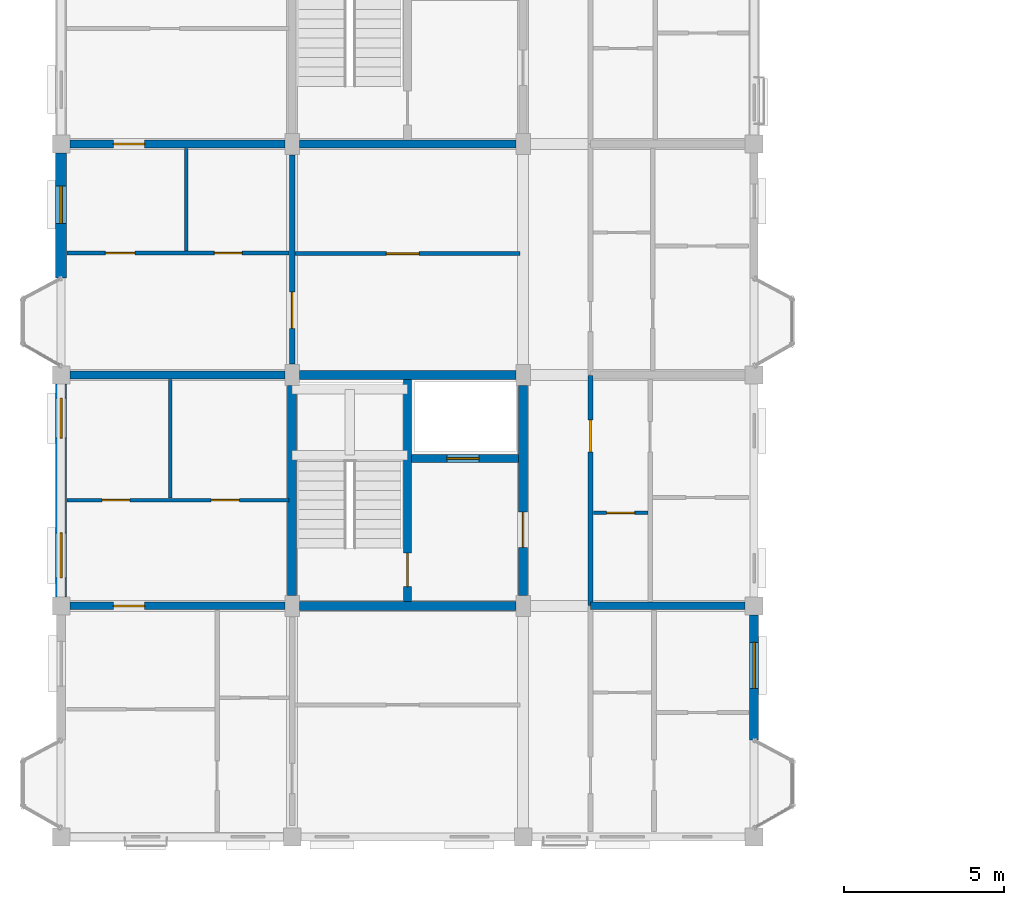
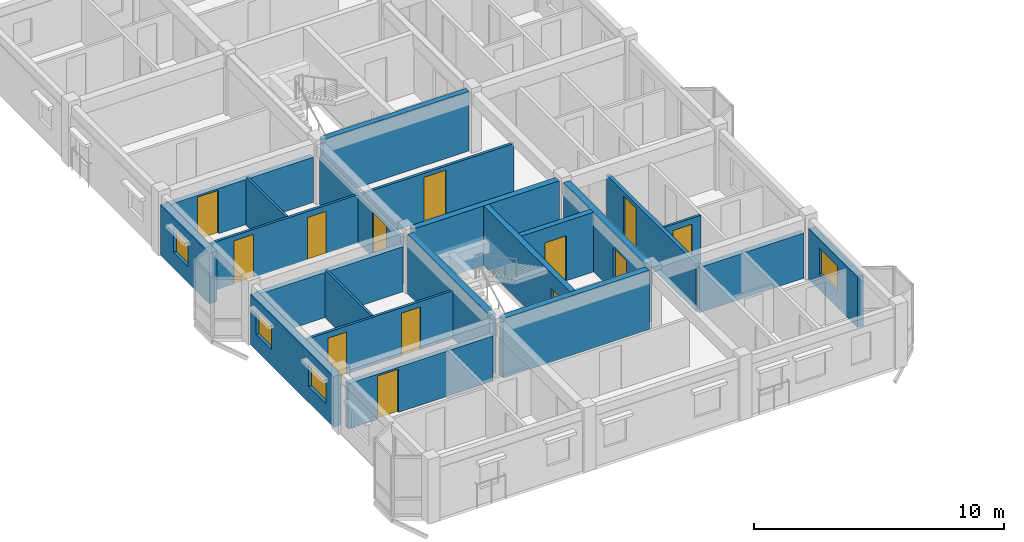
# One storey, part 56 of 79: 22 walls, 13 doors, 4 windows, 17 openings.
"""IFC4 building model written with IfcOpenShell, lengths in metres."""

from ifc_helpers import new_model, si_unit, direction, frame, frame_2d, origin, place, context, subcontext, project, spatial, rectangle, extrude, material, layer, layer_set, type_object, element, fill, save


model = new_model("IFC4")

# Units and contexts
model_context = context("Model", 3, precision=1e-05, world=origin(), true_north=direction((0.0, 1.0)))
body_context = subcontext(model_context, "Body", "Model", "MODEL_VIEW")
ifc_project = project(units=[si_unit("LENGTHUNIT", "METRE"), si_unit("AREAUNIT", "SQUARE_METRE"), si_unit("VOLUMEUNIT", "CUBIC_METRE"), si_unit("PLANEANGLEUNIT", "RADIAN"), si_unit("MASSUNIT", "GRAM", prefix="KILO"), si_unit("THERMODYNAMICTEMPERATUREUNIT", "KELVIN"), si_unit("POWERUNIT", "WATT")], contexts=[model_context])

# Site, building, storey
site_placement = place(None, origin())
site = spatial("IfcSite", under=ifc_project, at=site_placement, CompositionType="ELEMENT")
building_placement = place(site_placement, origin())
building = spatial("IfcBuilding", under=site, at=building_placement, Name="Tavuni Mirador Residences", CompositionType="ELEMENT")
storey_placement = place(building_placement, frame((0.0, 0.0, 13.949951171875)))
storey = spatial("IfcBuildingStorey", under=building, at=storey_placement, Name="L04", CompositionType="ELEMENT", Elevation=13.949951171875)

# Wall, opening, door
ifc_material_1 = material(Name="Precast concrete C40/50", Category="concrete")
ifc_layer_1 = layer(ifc_material_1, 0.25, Name="Precast concrete C40/50", Category="concrete")
ifc_layer_set_1 = layer_set([ifc_layer_1], Name="Precast concrete C40/50")
wall_type_1 = type_object("IfcWallType", Name="WT-COR250", PredefinedType="SHEAR", material=ifc_layer_set_1)
wall_1_placement = place(storey_placement, frame((14.39990234375, 72.139892578125, 0.0), z_axis=(0.0, 0.0, 1.0), x_axis=(0.0, 1.0, 0.0)))
wall_1 = element("IfcWall", 1, at=wall_1_placement, inside=storey, type_object=wall_type_1, Name="CWALL-C3-L04-MID", PredefinedType="SHEAR", context=body_context, shape_type="SweptSolid", body=[
    extrude(rectangle(XDim=6.920166015625, YDim=0.25, at=frame_2d((3.4599609375, 0.0))), origin(), (0.0, 0.0, 1.0), 2.91015625),
])
opening_1_placement = place(wall_1_placement, frame((0.4599609375, 0.0, 0.0)))
opening_1 = element("IfcOpeningElement", 2, at=opening_1_placement, cuts=wall_1, Name="Opening D-01", PredefinedType="OPENING", context=body_context, shape_type="SweptSolid", body=[
    extrude(rectangle(XDim=1.050048828125, YDim=2.14990234375, at=frame_2d((0.52490234375, 1.074951171875))), frame((0.0, 0.135009765625, 0.0), z_axis=(0.0, -1.0, 0.0), x_axis=(1.0, 0.0, 0.0)), (0.0, 0.0, 1.0), 0.27001953125),
])
ifc_material_2 = material(Name="Solid core iroko timber", Category="wood")
door_type_1 = type_object("IfcDoorType", Name="DT-ST1050", OperationType="NOTDEFINED", PredefinedType="DOOR", material=ifc_material_2)
door_1_placement = place(opening_1_placement, origin())
door_1 = element("IfcDoor", 3, at=door_1_placement, inside=storey, type_object=door_type_1, Name="DR-2125", OperationType="SINGLE_SWING_LEFT", OverallHeight=2.14990234375, OverallWidth=1.050048828125, PredefinedType="DOOR", context=body_context, shape_type="SweptSolid", body=[
    extrude(rectangle(XDim=1.050048828125, YDim=2.14990234375, at=frame_2d((0.52490234375, 1.074951171875))), frame((0.0, 0.02490234375, 0.0), z_axis=(0.0, -1.0, 0.0), x_axis=(1.0, 0.0, 0.0)), (0.0, 0.0, 1.0), 0.050048828125),
])
fill(opening_1, door_1)

wall_2_placement = place(storey_placement, frame((14.52490234375, 76.60009765625, 0.0), z_axis=(0.0, 0.0, 1.0), x_axis=(1.0, 0.0, 0.0)))
wall_2 = element("IfcWall", 4, at=wall_2_placement, inside=storey, type_object=wall_type_1, Name="CWALL-C3-L04-SHF", PredefinedType="SHEAR", context=body_context, shape_type="SweptSolid", body=[
    extrude(rectangle(XDim=3.335205078125, YDim=0.25, at=frame_2d((1.66748046875, 0.0))), origin(), (0.0, 0.0, 1.0), 2.91015625),
])
opening_2_placement = place(wall_2_placement, frame((1.10009765625, 0.0, 0.0)))
opening_2 = element("IfcOpeningElement", 5, at=opening_2_placement, cuts=wall_2, Name="Opening LD-02", PredefinedType="OPENING", context=body_context, shape_type="SweptSolid", body=[
    extrude(rectangle(XDim=1.0, YDim=2.199951171875, at=frame_2d((0.5, 1.10009765625))), frame((0.0, 0.135009765625, 0.0), z_axis=(0.0, -1.0, 0.0), x_axis=(1.0, 0.0, 0.0)), (0.0, 0.0, 1.0), 0.27001953125),
])
ifc_material_3 = material(Name="Structural steel S355", Category="steel")
door_type_2 = type_object("IfcDoorType", Name="DT-LD-PAX", OperationType="SLIDING_TO_LEFT", PredefinedType="DOOR", material=ifc_material_3)
door_2_placement = place(opening_2_placement, origin())
door_2 = element("IfcDoor", 6, at=door_2_placement, inside=storey, type_object=door_type_2, Name="Lift landing door PL-B1 L04", OperationType="SLIDING_TO_LEFT", OverallHeight=2.199951171875, OverallWidth=1.0, PredefinedType="DOOR", context=body_context, shape_type="SweptSolid", body=[
    extrude(rectangle(XDim=1.0, YDim=2.199951171875, at=frame_2d((0.5, 1.10009765625))), frame((0.0, 0.02490234375, 0.0), z_axis=(0.0, -1.0, 0.0), x_axis=(1.0, 0.0, 0.0)), (0.0, 0.0, 1.0), 0.050048828125),
])
fill(opening_2, door_2)

# Walls
wall_3_placement = place(storey_placement, frame((11.02490234375, 86.39990234375, 0.0), z_axis=(0.0, 0.0, 1.0), x_axis=(1.0, 0.0, 0.0)))
element("IfcWall", 7, at=wall_3_placement, inside=storey, type_object=wall_type_1, Name="CWALL-C4-L04-SS", PredefinedType="SHEAR", context=body_context, shape_type="SweptSolid", body=[
    extrude(rectangle(XDim=6.75, YDim=0.25, at=frame_2d((3.375, 0.0))), origin(), (0.0, 0.0, 1.0), 2.91015625),
])
ifc_layer_2 = layer(ifc_material_1, 0.280029296875, Name="Precast concrete C40/50", Category="concrete")
ifc_layer_set_2 = layer_set([ifc_layer_2], Name="Precast concrete C40/50")
wall_type_2 = type_object("IfcWallType", Name="WT-COR280", PredefinedType="SHEAR", material=ifc_layer_set_2)
wall_4_placement = place(storey_placement, frame((10.800048828125, 72.324951171875, 0.0), z_axis=(0.0, 0.0, 1.0), x_axis=(0.0, 1.0, 0.0)))
element("IfcWall", 8, at=wall_4_placement, inside=storey, type_object=wall_type_2, Name="CWALL-C3-L04-W", PredefinedType="SHEAR", context=body_context, shape_type="SweptSolid", body=[
    extrude(rectangle(XDim=6.550048828125, YDim=0.280029296875, at=frame_2d((3.27490234375, 0.0))), origin(), (0.0, 0.0, 1.0), 2.91015625),
])
wall_5_placement = place(storey_placement, frame((11.02490234375, 79.199951171875, 0.0), z_axis=(0.0, 0.0, 1.0), x_axis=(1.0, 0.0, 0.0)))
element("IfcWall", 9, at=wall_5_placement, inside=storey, type_object=wall_type_2, Name="CWALL-C3-L04-N", PredefinedType="SHEAR", context=body_context, shape_type="SweptSolid", body=[
    extrude(rectangle(XDim=6.75, YDim=0.280029296875, at=frame_2d((3.375, 0.0))), origin(), (0.0, 0.0, 1.0), 2.91015625),
])

# Wall, opening, door
wall_6_placement = place(storey_placement, frame((18.0, 72.324951171875, 0.0), z_axis=(0.0, 0.0, 1.0), x_axis=(0.0, 1.0, 0.0)))
wall_6 = element("IfcWall", 10, at=wall_6_placement, inside=storey, type_object=wall_type_2, Name="CWALL-C3-L04-E", PredefinedType="SHEAR", context=body_context, shape_type="SweptSolid", body=[
    extrude(rectangle(XDim=6.550048828125, YDim=0.280029296875, at=frame_2d((3.27490234375, 0.0))), origin(), (0.0, 0.0, 1.0), 2.91015625),
])
opening_3_placement = place(wall_6_placement, frame((1.5, 0.0, 0.0)))
opening_3 = element("IfcOpeningElement", 11, at=opening_3_placement, cuts=wall_6, Name="Opening D-02", PredefinedType="OPENING", context=body_context, shape_type="SweptSolid", body=[
    extrude(rectangle(XDim=1.10009765625, YDim=2.14990234375, at=frame_2d((0.550048828125, 1.074951171875))), frame((0.0, 0.14990234375, 0.0), z_axis=(0.0, -1.0, 0.0), x_axis=(1.0, 0.0, 0.0)), (0.0, 0.0, 1.0), 0.300048828125),
])
door_type_3 = type_object("IfcDoorType", Name="DT-LOB1100", OperationType="NOTDEFINED", PredefinedType="DOOR", material=ifc_material_2)
door_3_placement = place(opening_3_placement, frame((1.10009765625, 0.0, 0.0), z_axis=(0.0, 0.0, 1.0), x_axis=(-1.0, 0.0, 0.0)))
door_3 = element("IfcDoor", 12, at=door_3_placement, inside=storey, type_object=door_type_3, Name="DR-2124", OperationType="SINGLE_SWING_LEFT", OverallHeight=2.14990234375, OverallWidth=1.10009765625, PredefinedType="DOOR", context=body_context, shape_type="SweptSolid", body=[
    extrude(rectangle(XDim=1.10009765625, YDim=2.14990234375, at=frame_2d((0.550048828125, 1.074951171875))), frame((0.0, 0.02490234375, 0.0), z_axis=(0.0, -1.0, 0.0), x_axis=(1.0, 0.0, 0.0)), (0.0, 0.0, 1.0), 0.050048828125),
])
fill(opening_3, door_3)

# Wall
wall_7_placement = place(storey_placement, frame((11.02490234375, 72.0, 0.0), z_axis=(0.0, 0.0, 1.0), x_axis=(1.0, 0.0, 0.0)))
element("IfcWall", 13, at=wall_7_placement, inside=storey, type_object=wall_type_2, Name="CWALL-C3-L04-SS", PredefinedType="SHEAR", context=body_context, shape_type="SweptSolid", body=[
    extrude(rectangle(XDim=6.75, YDim=0.280029296875, at=frame_2d((3.375, 0.0))), origin(), (0.0, 0.0, 1.0), 2.91015625),
])

# Wall, opening, door
ifc_layer_3 = layer(ifc_material_1, 0.1650390625, Name="Precast concrete C40/50", Category="concrete")
ifc_layer_set_3 = layer_set([ifc_layer_3], Name="Precast concrete C40/50")
wall_type_3 = type_object("IfcWallType", Name="WT-CORR165", PredefinedType="PARTITIONING", material=ifc_layer_set_3)
wall_8_placement = place(storey_placement, frame((20.10009765625, 72.02001953125, 0.0), z_axis=(0.0, 0.0, 1.0), x_axis=(0.0, 1.0, 0.0)))
wall_8 = element("IfcWall", 14, at=wall_8_placement, inside=storey, type_object=wall_type_3, Name="CORW-BLK-B-L04-0-01", PredefinedType="PARTITIONING", context=body_context, shape_type="SweptSolid", body=[
    extrude(rectangle(XDim=7.159912109375, YDim=0.1650390625, at=frame_2d((3.580078125, 0.0))), origin(), (0.0, 0.0, 1.0), 2.344970703125),
])
opening_4_placement = place(wall_8_placement, frame((4.780029296875, 0.0, 0.0)))
opening_4 = element("IfcOpeningElement", 15, at=opening_4_placement, cuts=wall_8, Name="Opening D-03", PredefinedType="OPENING", context=body_context, shape_type="SweptSolid", body=[
    extrude(rectangle(XDim=1.0, YDim=2.14990234375, at=frame_2d((0.5, 1.074951171875))), frame((0.0, 0.092529296875, 0.0), z_axis=(0.0, -1.0, 0.0), x_axis=(1.0, 0.0, 0.0)), (0.0, 0.0, 1.0), 0.18505859375),
])
door_type_4 = type_object("IfcDoorType", Name="DT-FD60-1000", OperationType="NOTDEFINED", PredefinedType="DOOR", material=ifc_material_2)
door_4_placement = place(opening_4_placement, origin())
door_4 = element("IfcDoor", 16, at=door_4_placement, inside=storey, type_object=door_type_4, Name="DR-2562", OperationType="SINGLE_SWING_LEFT", OverallHeight=2.14990234375, OverallWidth=1.0, PredefinedType="DOOR", context=body_context, shape_type="SweptSolid", body=[
    extrude(rectangle(XDim=1.0, YDim=2.14990234375, at=frame_2d((0.5, 1.074951171875))), frame((0.0, 0.02490234375, 0.0), z_axis=(0.0, -1.0, 0.0), x_axis=(1.0, 0.0, 0.0)), (0.0, 0.0, 1.0), 0.050048828125),
])
fill(opening_4, door_4)

wall_9_placement = place(storey_placement, frame((10.800048828125, 79.550048828125, 0.0), z_axis=(0.0, 0.0, 1.0), x_axis=(0.0, 1.0, 0.0)))
wall_9 = element("IfcWall", 17, at=wall_9_placement, inside=storey, type_object=wall_type_3, Name="CORW-BLK-B-L04-1-02", PredefinedType="PARTITIONING", context=body_context, shape_type="SweptSolid", body=[
    extrude(rectangle(XDim=6.5, YDim=0.1650390625, at=frame_2d((3.25, 0.0))), origin(), (0.0, 0.0, 1.0), 2.344970703125),
])
opening_5_placement = place(wall_9_placement, frame((1.10009765625, 0.0, 0.0)))
opening_5 = element("IfcOpeningElement", 18, at=opening_5_placement, cuts=wall_9, Name="Opening D-20", PredefinedType="OPENING", context=body_context, shape_type="SweptSolid", body=[
    extrude(rectangle(XDim=1.139892578125, YDim=2.179931640625, at=frame_2d((0.56982421875, 1.08984375))), frame((0.0, 0.092529296875, 0.0), z_axis=(0.0, -1.0, 0.0), x_axis=(1.0, 0.0, 0.0)), (0.0, 0.0, 1.0), 0.18505859375),
])
door_type_5 = type_object("IfcDoorType", Name="DT-FD60-1140", OperationType="NOTDEFINED", PredefinedType="DOOR", material=ifc_material_2)
door_5_placement = place(opening_5_placement, origin())
door_5 = element("IfcDoor", 19, at=door_5_placement, inside=storey, type_object=door_type_5, Name="DR-2567", OperationType="SINGLE_SWING_RIGHT", OverallHeight=2.179931640625, OverallWidth=1.139892578125, PredefinedType="DOOR", context=body_context, shape_type="SweptSolid", body=[
    extrude(rectangle(XDim=1.139892578125, YDim=2.179931640625, at=frame_2d((0.56982421875, 1.08984375))), frame((0.0, 0.02490234375, 0.0), z_axis=(0.0, -1.0, 0.0), x_axis=(1.0, 0.0, 0.0)), (0.0, 0.0, 1.0), 0.050048828125),
])
fill(opening_5, door_5)

# Wall, opening, window
ifc_material_4 = material(Name="Sgraffito lime-rendered precast concrete C40/50", Category="concrete")
ifc_layer_4 = layer(ifc_material_4, 0.27490234375, Name="Sgraffito lime-rendered precast concrete C40/50", Category="concrete")
ifc_layer_set_4 = layer_set([ifc_layer_4], Name="Sgraffito lime-rendered precast concrete C40/50")
wall_type_4 = type_object("IfcWallType", Name="WT-EXT-PC275", PredefinedType="SOLIDWALL", material=ifc_layer_set_4)
wall_10_placement = place(storey_placement, frame((25.199951171875, 67.820068359375, 0.0), z_axis=(0.0, 0.0, 1.0), x_axis=(0.0, 1.0, 0.0)))
wall_10 = element("IfcWall", 20, at=wall_10_placement, inside=storey, type_object=wall_type_4, Name="EW-BLK-B-L04-E00", PredefinedType="SOLIDWALL", context=body_context, shape_type="SweptSolid", body=[
    extrude(rectangle(XDim=3.905029296875, YDim=0.27490234375, at=frame_2d((1.95263671875, 0.0))), origin(), (0.0, 0.0, 1.0), 2.47998046875),
])
opening_6_placement = place(wall_10_placement, frame((1.607421875, 0.0, 0.780029296875)))
opening_6 = element("IfcOpeningElement", 21, at=opening_6_placement, cuts=wall_10, Name="Opening WN-16", PredefinedType="OPENING", context=body_context, shape_type="SweptSolid", body=[
    extrude(rectangle(XDim=1.43994140625, YDim=1.260009765625, at=frame_2d((0.719970703125, 0.6298828125))), frame((0.0, 0.1474609375, 0.0), z_axis=(0.0, -1.0, 0.0), x_axis=(1.0, 0.0, 0.0)), (0.0, 0.0, 1.0), 0.294921875),
])
ifc_material_5 = material(Name="Laminated solar-control glass", Category="glass")
window_type_1 = type_object("IfcWindowType", Name="WNT-16", PartitioningType="SINGLE_PANEL", PredefinedType="WINDOW", material=ifc_material_5)
window_1_placement = place(opening_6_placement, origin())
window_1 = element("IfcWindow", 22, at=window_1_placement, inside=storey, type_object=window_type_1, Name="WIN-0671", OverallHeight=1.260009765625, OverallWidth=1.43994140625, PartitioningType="SINGLE_PANEL", PredefinedType="WINDOW", context=body_context, shape_type="SweptSolid", body=[
    extrude(rectangle(XDim=1.43994140625, YDim=1.260009765625, at=frame_2d((0.719970703125, 0.6298828125))), frame((0.0, 0.030029296875, 0.0), z_axis=(0.0, -1.0, 0.0), x_axis=(1.0, 0.0, 0.0)), (0.0, 0.0, 1.0), 0.06005859375),
])
fill(opening_6, window_1)

ifc_layer_5 = layer(ifc_material_4, 0.344970703125, Name="Sgraffito lime-rendered precast concrete C40/50", Category="concrete")
ifc_layer_set_5 = layer_set([ifc_layer_5], Name="Sgraffito lime-rendered precast concrete C40/50")
wall_type_5 = type_object("IfcWallType", Name="WT-EXT-PTY345", PredefinedType="SOLIDWALL", material=ifc_layer_set_5)
wall_11_placement = place(storey_placement, frame((3.60009765625, 86.125, 0.0), z_axis=(0.0, 0.0, 1.0), x_axis=(0.0, -1.0, 0.0)))
wall_11 = element("IfcWall", 23, at=wall_11_placement, inside=storey, type_object=wall_type_5, Name="EW-BLK-B-L04-W02", PredefinedType="SOLIDWALL", context=body_context, shape_type="SweptSolid", body=[
    extrude(rectangle(XDim=3.905029296875, YDim=0.344970703125, at=frame_2d((1.95263671875, 0.0))), origin(), (0.0, 0.0, 1.0), 2.47998046875),
])
opening_7_placement = place(wall_11_placement, frame((1.03759765625, 0.0, 0.780029296875)))
opening_7 = element("IfcOpeningElement", 24, at=opening_7_placement, cuts=wall_11, Name="Opening WN-05", PredefinedType="OPENING", context=body_context, shape_type="SweptSolid", body=[
    extrude(rectangle(XDim=1.159912109375, YDim=1.14990234375, at=frame_2d((0.580078125, 0.574951171875))), frame((0.0, 0.1826171875, 0.0), z_axis=(0.0, -1.0, 0.0), x_axis=(1.0, 0.0, 0.0)), (0.0, 0.0, 1.0), 0.364990234375),
])
window_type_2 = type_object("IfcWindowType", Name="WNT-05", PartitioningType="SINGLE_PANEL", PredefinedType="WINDOW", material=ifc_material_5)
window_2_placement = place(opening_7_placement, origin())
window_2 = element("IfcWindow", 25, at=window_2_placement, inside=storey, type_object=window_type_2, Name="WIN-0690", OverallHeight=1.14990234375, OverallWidth=1.159912109375, PartitioningType="SINGLE_PANEL", PredefinedType="WINDOW", context=body_context, shape_type="SweptSolid", body=[
    extrude(rectangle(XDim=1.159912109375, YDim=1.14990234375, at=frame_2d((0.580078125, 0.574951171875))), frame((0.0, 0.030029296875, 0.0), z_axis=(0.0, -1.0, 0.0), x_axis=(1.0, 0.0, 0.0)), (0.0, 0.0, 1.0), 0.06005859375),
])
fill(opening_7, window_2)

# Wall, openings, windows
wall_12_placement = place(storey_placement, frame((3.60009765625, 78.925048828125, 0.0), z_axis=(0.0, 0.0, 1.0), x_axis=(0.0, -1.0, 0.0)))
wall_12 = element("IfcWall", 26, at=wall_12_placement, inside=storey, type_object=wall_type_5, Name="EW-BLK-B-L04-W01", PredefinedType="SOLIDWALL", context=body_context, shape_type="SweptSolid", body=[
    extrude(rectangle(XDim=6.650146484375, YDim=0.344970703125, at=frame_2d((3.3251953125, 0.0))), origin(), (0.0, 0.0, 1.0), 2.47998046875),
])
opening_8_placement = place(wall_12_placement, frame((0.449951171875, 0.0, 0.780029296875)))
opening_8 = element("IfcOpeningElement", 27, at=opening_8_placement, cuts=wall_12, Name="Opening WN-06", PredefinedType="OPENING", context=body_context, shape_type="SweptSolid", body=[
    extrude(rectangle(XDim=1.239990234375, YDim=1.14990234375, at=frame_2d((0.6201171875, 0.574951171875))), frame((0.0, 0.1826171875, 0.0), z_axis=(0.0, -1.0, 0.0), x_axis=(1.0, 0.0, 0.0)), (0.0, 0.0, 1.0), 0.364990234375),
])
opening_9_placement = place(wall_12_placement, frame((4.64990234375, 0.0, 0.780029296875)))
opening_9 = element("IfcOpeningElement", 28, at=opening_9_placement, cuts=wall_12, Name="Opening WN-08", PredefinedType="OPENING", context=body_context, shape_type="SweptSolid", body=[
    extrude(rectangle(XDim=1.39990234375, YDim=1.14990234375, at=frame_2d((0.699951171875, 0.574951171875))), frame((0.0, 0.1826171875, 0.0), z_axis=(0.0, -1.0, 0.0), x_axis=(1.0, 0.0, 0.0)), (0.0, 0.0, 1.0), 0.364990234375),
])
window_type_3 = type_object("IfcWindowType", Name="WNT-06", PartitioningType="SINGLE_PANEL", PredefinedType="WINDOW", material=ifc_material_5)
window_3_placement = place(opening_8_placement, origin())
window_3 = element("IfcWindow", 29, at=window_3_placement, inside=storey, type_object=window_type_3, Name="WIN-0691", OverallHeight=1.14990234375, OverallWidth=1.239990234375, PartitioningType="SINGLE_PANEL", PredefinedType="WINDOW", context=body_context, shape_type="SweptSolid", body=[
    extrude(rectangle(XDim=1.239990234375, YDim=1.14990234375, at=frame_2d((0.6201171875, 0.574951171875))), frame((0.0, 0.030029296875, 0.0), z_axis=(0.0, -1.0, 0.0), x_axis=(1.0, 0.0, 0.0)), (0.0, 0.0, 1.0), 0.06005859375),
])
fill(opening_8, window_3)
window_type_4 = type_object("IfcWindowType", Name="WNT-08", PartitioningType="SINGLE_PANEL", PredefinedType="WINDOW", material=ifc_material_5)
window_4_placement = place(opening_9_placement, origin())
window_4 = element("IfcWindow", 30, at=window_4_placement, inside=storey, type_object=window_type_4, Name="WIN-0692", OverallHeight=1.14990234375, OverallWidth=1.39990234375, PartitioningType="SINGLE_PANEL", PredefinedType="WINDOW", context=body_context, shape_type="SweptSolid", body=[
    extrude(rectangle(XDim=1.39990234375, YDim=1.14990234375, at=frame_2d((0.699951171875, 0.574951171875))), frame((0.0, 0.030029296875, 0.0), z_axis=(0.0, -1.0, 0.0), x_axis=(1.0, 0.0, 0.0)), (0.0, 0.0, 1.0), 0.06005859375),
])
fill(opening_9, window_4)

# Wall
ifc_material_6 = material(Name="Acoustic gypsum and concrete block partition", Category="concrete")
ifc_layer_6 = layer(ifc_material_6, 0.10498046875, Name="Acoustic gypsum and concrete block partition", Category="concrete")
ifc_layer_set_6 = layer_set([ifc_layer_6], Name="Acoustic gypsum and concrete block partition")
wall_type_6 = type_object("IfcWallType", Name="WT-PART105", PredefinedType="PARTITIONING", material=ifc_layer_set_6)
wall_13_placement = place(storey_placement, frame((7.0, 75.3701171875, 0.0), z_axis=(0.0, 0.0, 1.0), x_axis=(0.0, 1.0, 0.0)))
element("IfcWall", 31, at=wall_13_placement, inside=storey, type_object=wall_type_6, Name="PW-BLK-B-L04-PF01-V", PredefinedType="PARTITIONING", context=body_context, shape_type="SweptSolid", body=[
    extrude(rectangle(XDim=3.68994140625, YDim=0.10498046875, at=frame_2d((1.844970703125, 0.0))), origin(), (0.0, 0.0, 1.0), 2.344970703125),
])

# Wall, opening, door
wall_14_placement = place(storey_placement, frame((20.18994140625, 74.89990234375, 0.0), z_axis=(0.0, 0.0, 1.0), x_axis=(1.0, 0.0, 0.0)))
wall_14 = element("IfcWall", 32, at=wall_14_placement, inside=storey, type_object=wall_type_6, Name="PW-BLK-B-L04-E01-IN1", PredefinedType="PARTITIONING", context=body_context, shape_type="SweptSolid", body=[
    extrude(rectangle(XDim=1.699951171875, YDim=0.10498046875, at=frame_2d((0.85009765625, 0.0))), origin(), (0.0, 0.0, 1.0), 2.344970703125),
])
opening_10_placement = place(wall_14_placement, frame((0.4150390625, 0.0, 0.0)))
opening_10 = element("IfcOpeningElement", 33, at=opening_10_placement, cuts=wall_14, Name="Opening D-10", PredefinedType="OPENING", context=body_context, shape_type="SweptSolid", body=[
    extrude(rectangle(XDim=0.8701171875, YDim=2.050048828125, at=frame_2d((0.43505859375, 1.02490234375))), frame((0.0, 0.0625, 0.0), z_axis=(0.0, -1.0, 0.0), x_axis=(1.0, 0.0, 0.0)), (0.0, 0.0, 1.0), 0.125),
])
door_type_6 = type_object("IfcDoorType", Name="DT-WC870", OperationType="NOTDEFINED", PredefinedType="DOOR", material=ifc_material_2)
door_6_placement = place(opening_10_placement, origin())
door_6 = element("IfcDoor", 34, at=door_6_placement, inside=storey, type_object=door_type_6, Name="DR-3537", OperationType="SINGLE_SWING_RIGHT", OverallHeight=2.050048828125, OverallWidth=0.8701171875, PredefinedType="DOOR", context=body_context, shape_type="SweptSolid", body=[
    extrude(rectangle(XDim=0.8701171875, YDim=2.050048828125, at=frame_2d((0.43505859375, 1.02490234375))), frame((0.0, 0.02490234375, 0.0), z_axis=(0.0, -1.0, 0.0), x_axis=(1.0, 0.0, 0.0)), (0.0, 0.0, 1.0), 0.050048828125),
])
fill(opening_10, door_6)

# Wall
wall_15_placement = place(storey_placement, frame((7.5, 83.070068359375, 0.0), z_axis=(0.0, 0.0, 1.0), x_axis=(0.0, 1.0, 0.0)))
element("IfcWall", 35, at=wall_15_placement, inside=storey, type_object=wall_type_6, Name="PW-BLK-B-L04-PF02-V", PredefinedType="PARTITIONING", context=body_context, shape_type="SweptSolid", body=[
    extrude(rectangle(XDim=3.18994140625, YDim=0.10498046875, at=frame_2d((1.594970703125, 0.0))), origin(), (0.0, 0.0, 1.0), 2.344970703125),
])

# Wall, openings, doors
ifc_layer_7 = layer(ifc_material_6, 0.114990234375, Name="Acoustic gypsum and concrete block partition", Category="concrete")
ifc_layer_set_7 = layer_set([ifc_layer_7], Name="Acoustic gypsum and concrete block partition")
wall_type_7 = type_object("IfcWallType", Name="WT-PART115", PredefinedType="PARTITIONING", material=ifc_layer_set_7)
wall_16_placement = place(storey_placement, frame((3.77490234375, 75.300048828125, 0.0), z_axis=(0.0, 0.0, 1.0), x_axis=(1.0, 0.0, 0.0)))
wall_16 = element("IfcWall", 36, at=wall_16_placement, inside=storey, type_object=wall_type_7, Name="PW-BLK-B-L04-PF01-H", PredefinedType="PARTITIONING", context=body_context, shape_type="SweptSolid", body=[
    extrude(rectangle(XDim=6.93505859375, YDim=0.114990234375, at=frame_2d((3.467529296875, 0.0))), origin(), (0.0, 0.0, 1.0), 2.344970703125),
])
opening_11_placement = place(wall_16_placement, frame((1.10009765625, 0.0, 0.0)))
opening_11 = element("IfcOpeningElement", 37, at=opening_11_placement, cuts=wall_16, Name="Opening D-10", PredefinedType="OPENING", context=body_context, shape_type="SweptSolid", body=[
    extrude(rectangle(XDim=0.8701171875, YDim=2.050048828125, at=frame_2d((0.43505859375, 1.02490234375))), frame((0.0, 0.0673828125, 0.0), z_axis=(0.0, -1.0, 0.0), x_axis=(1.0, 0.0, 0.0)), (0.0, 0.0, 1.0), 0.135009765625),
])
opening_12_placement = place(wall_16_placement, frame((4.5, 0.0, 0.0)))
opening_12 = element("IfcOpeningElement", 38, at=opening_12_placement, cuts=wall_16, Name="Opening D-08", PredefinedType="OPENING", context=body_context, shape_type="SweptSolid", body=[
    extrude(rectangle(XDim=0.8798828125, YDim=2.080078125, at=frame_2d((0.43994140625, 1.0400390625))), frame((0.0, 0.0673828125, 0.0), z_axis=(0.0, -1.0, 0.0), x_axis=(1.0, 0.0, 0.0)), (0.0, 0.0, 1.0), 0.135009765625),
])
door_type_7 = type_object("IfcDoorType", Name="DT-BED880", OperationType="NOTDEFINED", PredefinedType="DOOR", material=ifc_material_2)
door_7_placement = place(opening_12_placement, origin())
door_7 = element("IfcDoor", 39, at=door_7_placement, inside=storey, type_object=door_type_7, Name="DR-3535", OperationType="SINGLE_SWING_RIGHT", OverallHeight=2.080078125, OverallWidth=0.8798828125, PredefinedType="DOOR", context=body_context, shape_type="SweptSolid", body=[
    extrude(rectangle(XDim=0.8798828125, YDim=2.080078125, at=frame_2d((0.43994140625, 1.0400390625))), frame((0.0, 0.02490234375, 0.0), z_axis=(0.0, -1.0, 0.0), x_axis=(1.0, 0.0, 0.0)), (0.0, 0.0, 1.0), 0.050048828125),
])
fill(opening_12, door_7)
door_8_placement = place(opening_11_placement, origin())
door_8 = element("IfcDoor", 40, at=door_8_placement, inside=storey, type_object=door_type_6, Name="DR-3534", OperationType="SINGLE_SWING_LEFT", OverallHeight=2.050048828125, OverallWidth=0.8701171875, PredefinedType="DOOR", context=body_context, shape_type="SweptSolid", body=[
    extrude(rectangle(XDim=0.8701171875, YDim=2.050048828125, at=frame_2d((0.43505859375, 1.02490234375))), frame((0.0, 0.02490234375, 0.0), z_axis=(0.0, -1.0, 0.0), x_axis=(1.0, 0.0, 0.0)), (0.0, 0.0, 1.0), 0.050048828125),
])
fill(opening_11, door_8)

wall_17_placement = place(storey_placement, frame((3.77490234375, 83.0, 0.0), z_axis=(0.0, 0.0, 1.0), x_axis=(1.0, 0.0, 0.0)))
wall_17 = element("IfcWall", 41, at=wall_17_placement, inside=storey, type_object=wall_type_7, Name="PW-BLK-B-L04-PF02-H", PredefinedType="PARTITIONING", context=body_context, shape_type="SweptSolid", body=[
    extrude(rectangle(XDim=6.93505859375, YDim=0.114990234375, at=frame_2d((3.467529296875, 0.0))), origin(), (0.0, 0.0, 1.0), 2.344970703125),
])
opening_13_placement = place(wall_17_placement, frame((4.60009765625, 0.0, 0.0)))
opening_13 = element("IfcOpeningElement", 42, at=opening_13_placement, cuts=wall_17, Name="Opening D-10", PredefinedType="OPENING", context=body_context, shape_type="SweptSolid", body=[
    extrude(rectangle(XDim=0.8701171875, YDim=2.050048828125, at=frame_2d((0.43505859375, 1.02490234375))), frame((0.0, 0.0673828125, 0.0), z_axis=(0.0, -1.0, 0.0), x_axis=(1.0, 0.0, 0.0)), (0.0, 0.0, 1.0), 0.135009765625),
])
opening_14_placement = place(wall_17_placement, frame((1.199951171875, 0.0, 0.0)))
opening_14 = element("IfcOpeningElement", 43, at=opening_14_placement, cuts=wall_17, Name="Opening D-06", PredefinedType="OPENING", context=body_context, shape_type="SweptSolid", body=[
    extrude(rectangle(XDim=0.919921875, YDim=2.10009765625, at=frame_2d((0.4599609375, 1.050048828125))), frame((0.0, 0.0673828125, 0.0), z_axis=(0.0, -1.0, 0.0), x_axis=(1.0, 0.0, 0.0)), (0.0, 0.0, 1.0), 0.135009765625),
])
door_type_8 = type_object("IfcDoorType", Name="DT-INT920", OperationType="NOTDEFINED", PredefinedType="DOOR", material=ifc_material_2)
door_9_placement = place(opening_14_placement, origin())
door_9 = element("IfcDoor", 44, at=door_9_placement, inside=storey, type_object=door_type_8, Name="DR-3541", OperationType="SINGLE_SWING_RIGHT", OverallHeight=2.10009765625, OverallWidth=0.919921875, PredefinedType="DOOR", context=body_context, shape_type="SweptSolid", body=[
    extrude(rectangle(XDim=0.919921875, YDim=2.10009765625, at=frame_2d((0.4599609375, 1.050048828125))), frame((0.0, 0.02490234375, 0.0), z_axis=(0.0, -1.0, 0.0), x_axis=(1.0, 0.0, 0.0)), (0.0, 0.0, 1.0), 0.050048828125),
])
fill(opening_14, door_9)
door_10_placement = place(opening_13_placement, origin())
door_10 = element("IfcDoor", 45, at=door_10_placement, inside=storey, type_object=door_type_6, Name="DR-3540", OperationType="SINGLE_SWING_LEFT", OverallHeight=2.050048828125, OverallWidth=0.8701171875, PredefinedType="DOOR", context=body_context, shape_type="SweptSolid", body=[
    extrude(rectangle(XDim=0.8701171875, YDim=2.050048828125, at=frame_2d((0.43505859375, 1.02490234375))), frame((0.0, 0.02490234375, 0.0), z_axis=(0.0, -1.0, 0.0), x_axis=(1.0, 0.0, 0.0)), (0.0, 0.0, 1.0), 0.050048828125),
])
fill(opening_13, door_10)

# Wall, opening, door
ifc_layer_8 = layer(ifc_material_6, 0.125, Name="Acoustic gypsum and concrete block partition", Category="concrete")
ifc_layer_set_8 = layer_set([ifc_layer_8], Name="Acoustic gypsum and concrete block partition")
wall_type_8 = type_object("IfcWallType", Name="WT-PART125", PredefinedType="PARTITIONING", material=ifc_layer_set_8)
wall_18_placement = place(storey_placement, frame((10.889892578125, 82.97998046875, 0.0), z_axis=(0.0, 0.0, 1.0), x_axis=(1.0, 0.0, 0.0)))
wall_18 = element("IfcWall", 46, at=wall_18_placement, inside=storey, type_object=wall_type_8, Name="PW-SPN-BLK-B-L04-02", PredefinedType="PARTITIONING", context=body_context, shape_type="SweptSolid", body=[
    extrude(rectangle(XDim=7.02001953125, YDim=0.125, at=frame_2d((3.510009765625, 0.0))), origin(), (0.0, 0.0, 1.0), 2.344970703125),
])
opening_15_placement = place(wall_18_placement, frame((2.85009765625, 0.0, 0.0)))
opening_15 = element("IfcOpeningElement", 47, at=opening_15_placement, cuts=wall_18, Name="Opening D-13", PredefinedType="OPENING", context=body_context, shape_type="SweptSolid", body=[
    extrude(rectangle(XDim=1.02001953125, YDim=2.14990234375, at=frame_2d((0.510009765625, 1.074951171875))), frame((0.0, 0.072509765625, 0.0), z_axis=(0.0, -1.0, 0.0), x_axis=(1.0, 0.0, 0.0)), (0.0, 0.0, 1.0), 0.14501953125),
])
door_type_9 = type_object("IfcDoorType", Name="DT-MTG1020", OperationType="NOTDEFINED", PredefinedType="DOOR", material=ifc_material_2)
door_11_placement = place(opening_15_placement, origin())
door_11 = element("IfcDoor", 48, at=door_11_placement, inside=storey, type_object=door_type_9, Name="DR-3539", OperationType="SINGLE_SWING_LEFT", OverallHeight=2.14990234375, OverallWidth=1.02001953125, PredefinedType="DOOR", context=body_context, shape_type="SweptSolid", body=[
    extrude(rectangle(XDim=1.02001953125, YDim=2.14990234375, at=frame_2d((0.510009765625, 1.074951171875))), frame((0.0, 0.02490234375, 0.0), z_axis=(0.0, -1.0, 0.0), x_axis=(1.0, 0.0, 0.0)), (0.0, 0.0, 1.0), 0.050048828125),
])
fill(opening_15, door_11)

ifc_layer_9 = layer(ifc_material_1, 0.235107421875, Name="Precast concrete C40/50", Category="concrete")
ifc_layer_set_9 = layer_set([ifc_layer_9], Name="Precast concrete C40/50")
wall_type_9 = type_object("IfcWallType", Name="WT-XW235", PredefinedType="SOLIDWALL", material=ifc_layer_set_9)
wall_19_placement = place(storey_placement, frame((3.875, 72.0, 0.0), z_axis=(0.0, 0.0, 1.0), x_axis=(1.0, 0.0, 0.0)))
wall_19 = element("IfcWall", 49, at=wall_19_placement, inside=storey, type_object=wall_type_9, Name="XW-BLK-B-L04-W-01", PredefinedType="SOLIDWALL", context=body_context, shape_type="SweptSolid", body=[
    extrude(rectangle(XDim=6.699951171875, YDim=0.235107421875, at=frame_2d((3.35009765625, 0.0))), origin(), (0.0, 0.0, 1.0), 2.2099609375),
])
opening_16_placement = place(wall_19_placement, frame((1.35009765625, 0.0, 0.0)))
opening_16 = element("IfcOpeningElement", 50, at=opening_16_placement, cuts=wall_19, Name="Opening D-04", PredefinedType="OPENING", context=body_context, shape_type="SweptSolid", body=[
    extrude(rectangle(XDim=0.97998046875, YDim=2.1201171875, at=frame_2d((0.489990234375, 1.06005859375))), frame((0.0, 0.12744140625, 0.0), z_axis=(0.0, -1.0, 0.0), x_axis=(1.0, 0.0, 0.0)), (0.0, 0.0, 1.0), 0.255126953125),
])
door_type_10 = type_object("IfcDoorType", Name="DT-FD60-980", OperationType="NOTDEFINED", PredefinedType="DOOR", material=ifc_material_2)
door_12_placement = place(opening_16_placement, origin())
door_12 = element("IfcDoor", 51, at=door_12_placement, inside=storey, type_object=door_type_10, Name="DR-4716", OperationType="SINGLE_SWING_LEFT", OverallHeight=2.1201171875, OverallWidth=0.97998046875, PredefinedType="DOOR", context=body_context, shape_type="SweptSolid", body=[
    extrude(rectangle(XDim=0.97998046875, YDim=2.1201171875, at=frame_2d((0.489990234375, 1.06005859375))), frame((0.0, 0.02490234375, 0.0), z_axis=(0.0, -1.0, 0.0), x_axis=(1.0, 0.0, 0.0)), (0.0, 0.0, 1.0), 0.050048828125),
])
fill(opening_16, door_12)

# Walls
wall_20_placement = place(storey_placement, frame((20.10009765625, 72.0, 0.0), z_axis=(0.0, 0.0, 1.0), x_axis=(1.0, 0.0, 0.0)))
element("IfcWall", 52, at=wall_20_placement, inside=storey, type_object=wall_type_9, Name="XW-BLK-B-L04-E-01", PredefinedType="SOLIDWALL", context=body_context, shape_type="SweptSolid", body=[
    extrude(rectangle(XDim=4.824951171875, YDim=0.235107421875, at=frame_2d((2.41259765625, 0.0))), origin(), (0.0, 0.0, 1.0), 2.2099609375),
])
wall_21_placement = place(storey_placement, frame((3.875, 79.199951171875, 0.0), z_axis=(0.0, 0.0, 1.0), x_axis=(1.0, 0.0, 0.0)))
element("IfcWall", 53, at=wall_21_placement, inside=storey, type_object=wall_type_9, Name="XW-BLK-B-L04-W-02", PredefinedType="SOLIDWALL", context=body_context, shape_type="SweptSolid", body=[
    extrude(rectangle(XDim=6.699951171875, YDim=0.235107421875, at=frame_2d((3.35009765625, 0.0))), origin(), (0.0, 0.0, 1.0), 2.2099609375),
])

# Wall, opening, door
wall_22_placement = place(storey_placement, frame((3.875, 86.39990234375, 0.0), z_axis=(0.0, 0.0, 1.0), x_axis=(1.0, 0.0, 0.0)))
wall_22 = element("IfcWall", 54, at=wall_22_placement, inside=storey, type_object=wall_type_9, Name="XW-BLK-B-L04-W-03", PredefinedType="SOLIDWALL", context=body_context, shape_type="SweptSolid", body=[
    extrude(rectangle(XDim=6.699951171875, YDim=0.235107421875, at=frame_2d((3.35009765625, 0.0))), origin(), (0.0, 0.0, 1.0), 2.2099609375),
])
opening_17_placement = place(wall_22_placement, frame((1.35009765625, 0.0, 0.0)))
opening_17 = element("IfcOpeningElement", 55, at=opening_17_placement, cuts=wall_22, Name="Opening D-04", PredefinedType="OPENING", context=body_context, shape_type="SweptSolid", body=[
    extrude(rectangle(XDim=0.97998046875, YDim=2.1201171875, at=frame_2d((0.489990234375, 1.06005859375))), frame((0.0, 0.12744140625, 0.0), z_axis=(0.0, -1.0, 0.0), x_axis=(1.0, 0.0, 0.0)), (0.0, 0.0, 1.0), 0.255126953125),
])
door_13_placement = place(opening_17_placement, origin())
door_13 = element("IfcDoor", 56, at=door_13_placement, inside=storey, type_object=door_type_10, Name="DR-4717", OperationType="SINGLE_SWING_RIGHT", OverallHeight=2.1201171875, OverallWidth=0.97998046875, PredefinedType="DOOR", context=body_context, shape_type="SweptSolid", body=[
    extrude(rectangle(XDim=0.97998046875, YDim=2.1201171875, at=frame_2d((0.489990234375, 1.06005859375))), frame((0.0, 0.02490234375, 0.0), z_axis=(0.0, -1.0, 0.0), x_axis=(1.0, 0.0, 0.0)), (0.0, 0.0, 1.0), 0.050048828125),
])
fill(opening_17, door_13)

save(model, "model.ifc")
